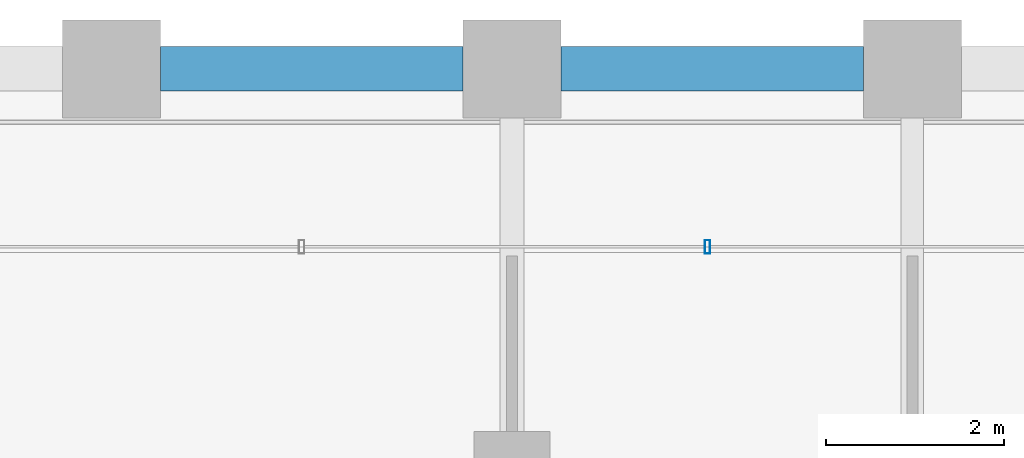
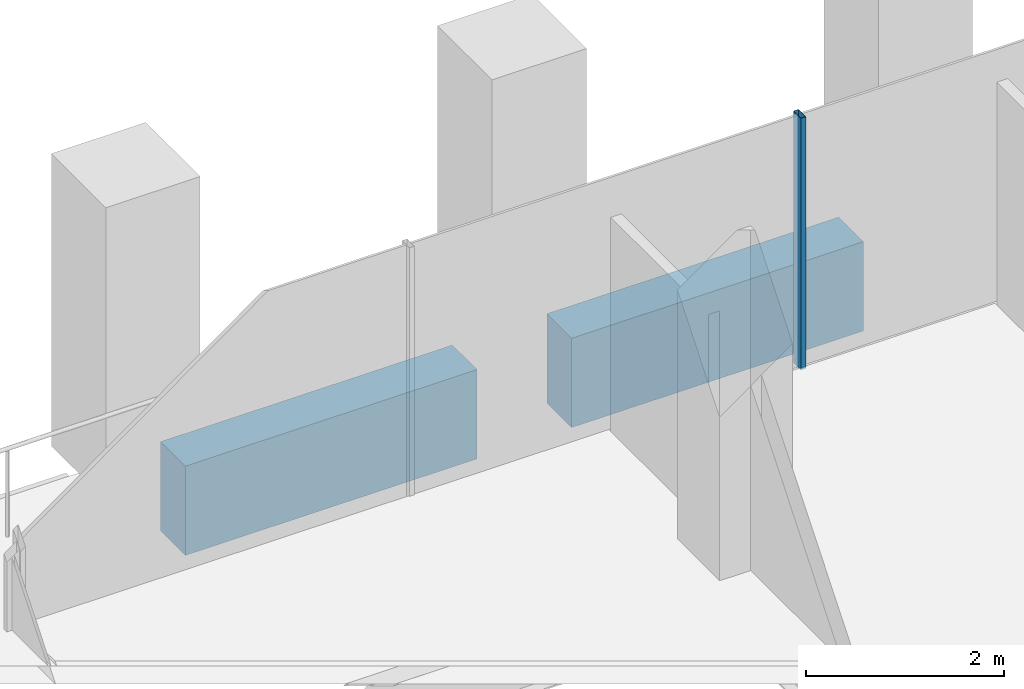
# One storey, part 27 of 56: 2 beams, 1 member, 1 element without a shape of its own.
"""IFC4 building model written with IfcOpenShell, lengths in metres."""

from ifc_helpers import new_model, si_unit, direction, frame, origin, origin_2d, place, context, subcontext, project, spatial, rectangle, hollow_rectangle, extrude, material, material_profile, profile_set, type_object, element, aggregate, save


model = new_model("IFC4")

# Units and contexts
model_context = context("Model", 3, precision=1e-05, world=origin(), true_north=direction((0.0, 1.0)))
body_context = subcontext(model_context, "Body", "Model", "MODEL_VIEW")
ifc_project = project(units=[si_unit("LENGTHUNIT", "METRE"), si_unit("AREAUNIT", "SQUARE_METRE"), si_unit("VOLUMEUNIT", "CUBIC_METRE"), si_unit("PLANEANGLEUNIT", "RADIAN"), si_unit("MASSUNIT", "GRAM", prefix="KILO")], contexts=[model_context])

# Site, building, storey
site_placement = place(None, origin())
site = spatial("IfcSite", under=ifc_project, at=site_placement, CompositionType="ELEMENT")
building_placement = place(site_placement, origin())
building = spatial("IfcBuilding", under=site, at=building_placement, Name="Altepetl Exchange Towers", CompositionType="ELEMENT")
storey_placement = place(building_placement, frame((0.0, 0.0, 69.0)))
storey = spatial("IfcBuildingStorey", under=building, at=storey_placement, Name="L16", CompositionType="ELEMENT", Elevation=69.0)

# Curtain wall, member
ifc_material_1 = material(Name="Aluminium 6063-T6 glazing", Category="aluminium")
curtain_wall_type = type_object("IfcCurtainWallType", Name="Loggia glazing system", PredefinedType="NOTDEFINED", material=ifc_material_1)
curtain_wall_placement = place(storey_placement, origin())
curtain_wall = element("IfcCurtainWall", 1, at=curtain_wall_placement, inside=storey, type_object=curtain_wall_type, Name="CW1 run", PredefinedType="NOTDEFINED")
ifc_material_2 = material(Name="Aluminium 6063-T6", Category="aluminium")
ifc_material_profile_1 = material_profile(ifc_material_2, hollow_rectangle(XDim=0.06005859375, YDim=0.14990234375, WallThickness=0.0029296875, at=origin_2d()), Name="Mullion 60x150 aluminium")
ifc_profile_set_1 = profile_set([ifc_material_profile_1], Name="Aluminium 6063-T6")
member_type = type_object("IfcMemberType", Name="Mullion 60x150 aluminium", PredefinedType="MULLION", material=ifc_profile_set_1)
member_placement = place(storey_placement, frame((42.696533203125, 70.0, 0.0), z_axis=(0.0, 0.0, 1.0), x_axis=(-1.0, 0.0, 0.0)))
member = element("IfcMember", 2, at=member_placement, type_object=member_type, Name="MU1 mullion", PredefinedType="MULLION", context=body_context, shape_type="SweptSolid", body=[
    extrude(hollow_rectangle(XDim=0.06005859375, YDim=0.14990234375, WallThickness=0.0029296875, at=origin_2d()), origin(), (0.0, 0.0, 1.0), 3.10009765625),
])
aggregate(curtain_wall, [member])

# Beams
ifc_material_3 = material(Name="Concrete C50/60 precast with cantera rosa facing", Category="concrete")
ifc_material_profile_2 = material_profile(ifc_material_3, rectangle(XDim=0.5, YDim=1.10009765625, at=origin_2d()), Name="500 x 1100")
ifc_profile_set_2 = profile_set([ifc_material_profile_2], Name="Concrete C50/60 precast with cantera rosa facing")
beam_type_1 = type_object("IfcBeamType", Name="Spandrel beam 500x1100 cantera rosa", PredefinedType="SPANDREL", material=ifc_profile_set_2)
beam_1_placement = place(storey_placement, frame((44.449951171875, 72.0, -0.699951171875), z_axis=(-1.0, 0.0, 0.0), x_axis=(0.0, -1.0, 0.0)))
element("IfcBeam", 3, at=beam_1_placement, inside=storey, type_object=beam_type_1, Name="sp:A:L16:029", PredefinedType="SPANDREL", context=body_context, shape_type="SweptSolid", body=[
    extrude(rectangle(XDim=0.5, YDim=1.10009765625, at=origin_2d()), origin(), (0.0, 0.0, 1.0), 3.39990234375),
])
ifc_material_4 = material(Name="Concrete C50/60 precast with tezontle facing", Category="concrete")
ifc_material_profile_3 = material_profile(ifc_material_4, rectangle(XDim=0.5, YDim=1.10009765625, at=origin_2d()), Name="500 x 1100")
ifc_profile_set_3 = profile_set([ifc_material_profile_3], Name="Concrete C50/60 precast with tezontle facing")
beam_type_2 = type_object("IfcBeamType", Name="Spandrel beam 500x1100 tezontle", PredefinedType="SPANDREL", material=ifc_profile_set_3)
beam_2_placement = place(storey_placement, frame((39.949951171875, 72.0, -0.699951171875), z_axis=(-1.0, 0.0, 0.0), x_axis=(0.0, -1.0, 0.0)))
element("IfcBeam", 4, at=beam_2_placement, inside=storey, type_object=beam_type_2, Name="sp:A:L16:030", PredefinedType="SPANDREL", context=body_context, shape_type="SweptSolid", body=[
    extrude(rectangle(XDim=0.5, YDim=1.10009765625, at=origin_2d()), origin(), (0.0, 0.0, 1.0), 3.39990234375),
])

save(model, "model.ifc")
